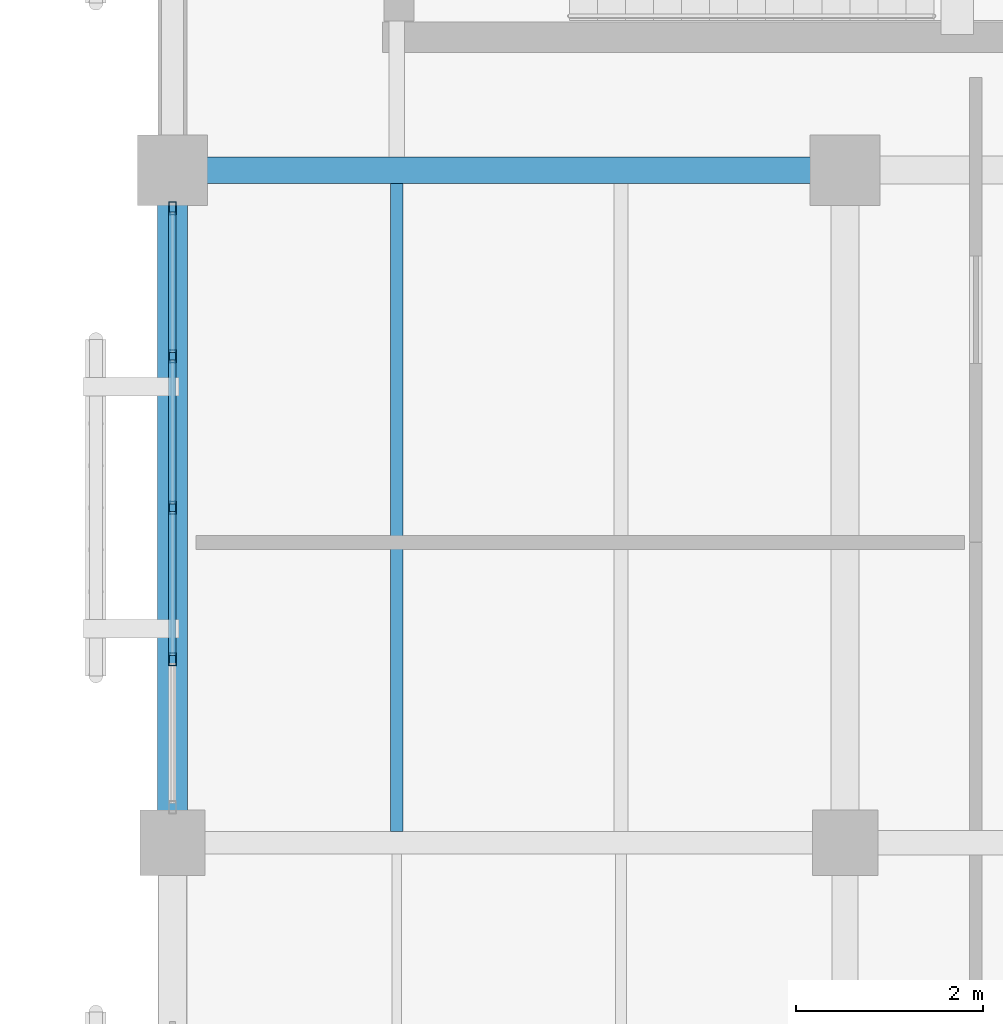
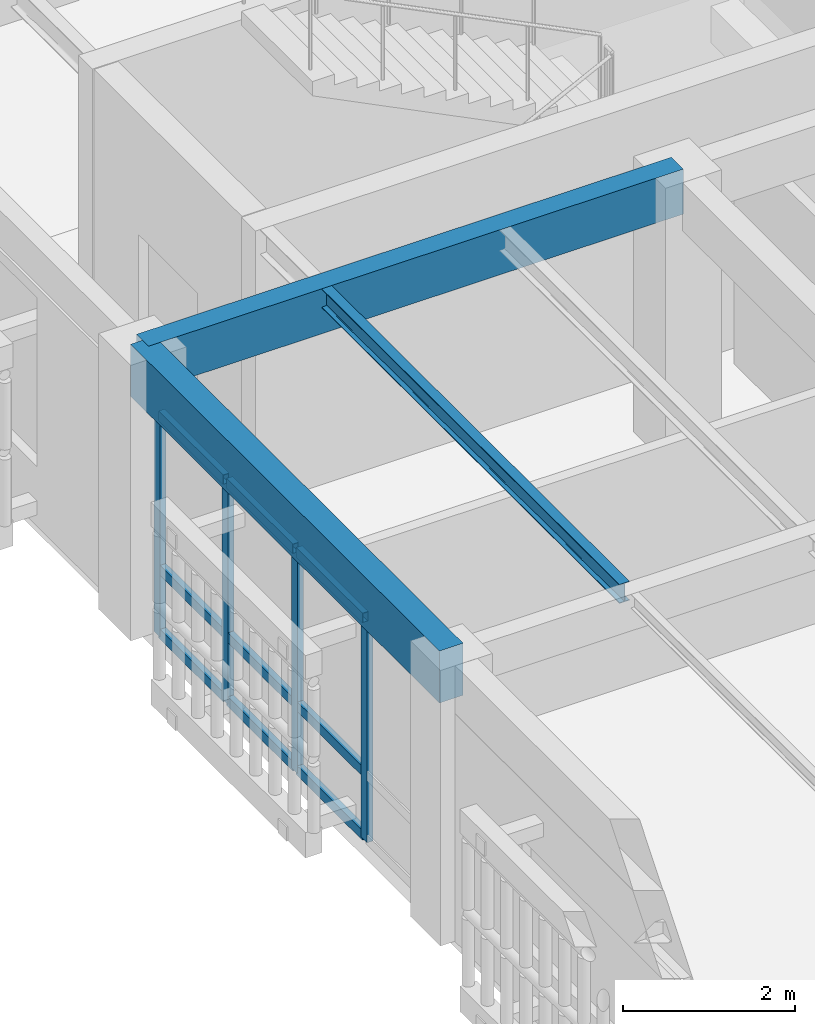
# One storey, part 77 of 170: 13 members, 3 beams, 1 element without a shape of its own.
"""IFC4 building model written with IfcOpenShell, lengths in metres."""

from ifc_helpers import new_model, si_unit, direction, frame, origin, origin_2d, place, context, subcontext, project, spatial, rectangle, hollow_rectangle, i_section, extrude, material, layer, layer_set, material_profile, profile_set, type_object, element, aggregate, save


model = new_model("IFC4")

# Units and contexts
model_context = context("Model", 3, precision=1e-05, world=origin(), true_north=direction((0.0, 1.0)))
body_context = subcontext(model_context, "Body", "Model", "MODEL_VIEW")
ifc_project = project(units=[si_unit("LENGTHUNIT", "METRE"), si_unit("AREAUNIT", "SQUARE_METRE"), si_unit("VOLUMEUNIT", "CUBIC_METRE"), si_unit("PLANEANGLEUNIT", "RADIAN"), si_unit("MASSUNIT", "GRAM", prefix="KILO")], contexts=[model_context])

# Site, building, storey
site_placement = place(None, origin())
site = spatial("IfcSite", under=ifc_project, at=site_placement, CompositionType="ELEMENT")
building_placement = place(site_placement, origin())
building = spatial("IfcBuilding", under=site, at=building_placement, Name="Mazaris Harbour Polytechnic", CompositionType="ELEMENT")
storey_placement = place(building_placement, frame((0.0, 0.0, 5.39990234375)))
storey = spatial("IfcBuildingStorey", under=building, at=storey_placement, Name="L01", CompositionType="ELEMENT", Elevation=5.39990234375)

# Curtain wall, members
ifc_material_1 = material(Name="Anodised Bronze Aluminium and Low-E Glass", Category="aluminium")
ifc_layer = layer(ifc_material_1, 0.169921875, Name="Anodised Bronze Aluminium and Low-E Glass")
ifc_layer_set = layer_set([ifc_layer], Name="Anodised Bronze Aluminium and Low-E Glass")
curtain_wall_type = type_object("IfcCurtainWallType", Name="Studio North-Light Curtain Wall", PredefinedType="NOTDEFINED", material=ifc_layer_set)
curtain_wall_placement = place(storey_placement, origin())
curtain_wall = element("IfcCurtainWall", 1, at=curtain_wall_placement, inside=storey, type_object=curtain_wall_type, Name="V5 L01 Curtain Wall 210", PredefinedType="NOTDEFINED")
ifc_material_2 = material(Name="Anodised Bronze Steel S355", Category="steel")
ifc_material_profile_1 = material_profile(ifc_material_2, hollow_rectangle(XDim=0.080078125, YDim=0.139892578125, WallThickness=0.00634765625, at=origin_2d()), Name="RHS 80x140x6.3")
ifc_profile_set_1 = profile_set([ifc_material_profile_1], Name="Anodised Bronze Steel S355")
member_type_1 = type_object("IfcMemberType", Name="Curtain Mullion RHS80x140", PredefinedType="MULLION", material=ifc_profile_set_1)
member_1_placement = place(storey_placement, frame((122.39990234375, 63.164794921875, 0.0), z_axis=(0.0, 0.0, 1.0), x_axis=(-1.0, 0.0, 0.0)))
member_1 = element("IfcMember", 2, at=member_1_placement, type_object=member_type_1, Name="CW-03 mullion 2", PredefinedType="MULLION", context=body_context, shape_type="SweptSolid", body=[
    extrude(hollow_rectangle(XDim=0.080078125, YDim=0.139892578125, WallThickness=0.00634765625, at=origin_2d()), origin(), (0.0, 0.0, 1.0), 3.170166015625),
])
member_2_placement = place(storey_placement, frame((122.39990234375, 64.78759765625, 0.0), z_axis=(0.0, 0.0, 1.0), x_axis=(-1.0, 0.0, 0.0)))
member_2 = element("IfcMember", 3, at=member_2_placement, type_object=member_type_1, Name="CW-03 mullion 3", PredefinedType="MULLION", context=body_context, shape_type="SweptSolid", body=[
    extrude(hollow_rectangle(XDim=0.080078125, YDim=0.139892578125, WallThickness=0.00634765625, at=origin_2d()), origin(), (0.0, 0.0, 1.0), 3.170166015625),
])
member_3_placement = place(storey_placement, frame((122.39990234375, 66.41015625, 0.0), z_axis=(0.0, 0.0, 1.0), x_axis=(-1.0, 0.0, 0.0)))
member_3 = element("IfcMember", 4, at=member_3_placement, type_object=member_type_1, Name="CW-03 mullion 4", PredefinedType="MULLION", context=body_context, shape_type="SweptSolid", body=[
    extrude(hollow_rectangle(XDim=0.080078125, YDim=0.139892578125, WallThickness=0.00634765625, at=origin_2d()), origin(), (0.0, 0.0, 1.0), 3.170166015625),
])
member_4_placement = place(storey_placement, frame((122.39990234375, 67.992919921875, 0.0), z_axis=(0.0, 0.0, 1.0), x_axis=(-1.0, 0.0, 0.0)))
member_4 = element("IfcMember", 5, at=member_4_placement, type_object=member_type_1, Name="CW-03 mullion 5", PredefinedType="MULLION", context=body_context, shape_type="SweptSolid", body=[
    extrude(hollow_rectangle(XDim=0.080078125, YDim=0.139892578125, WallThickness=0.00634765625, at=origin_2d()), origin(), (0.0, 0.0, 1.0), 3.170166015625),
])
ifc_material_3 = material(Name="Anodised Bronze Steel S355", Category="steel")
ifc_material_profile_2 = material_profile(ifc_material_3, hollow_rectangle(XDim=0.080078125, YDim=0.139892578125, WallThickness=0.00634765625, at=origin_2d()), Name="RHS 80x140x6.3")
ifc_profile_set_2 = profile_set([ifc_material_profile_2], Name="Anodised Bronze Steel S355")
member_type_2 = type_object("IfcMemberType", Name="Curtain Transom RHS80x140", PredefinedType="USERDEFINED", material=ifc_profile_set_2)
member_5_placement = place(storey_placement, frame((122.39990234375, 63.204833984375, 0.0400390625), z_axis=(0.0, 1.0, 0.0), x_axis=(-1.0, 0.0, 0.0)))
member_5 = element("IfcMember", 6, at=member_5_placement, type_object=member_type_2, Name="CW-03 transom 2.1", ObjectType="TRANSOM", PredefinedType="USERDEFINED", context=body_context, shape_type="SweptSolid", body=[
    extrude(hollow_rectangle(XDim=0.080078125, YDim=0.139892578125, WallThickness=0.00634765625, at=origin_2d()), origin(), (0.0, 0.0, 1.0), 1.542724609375),
])
member_6_placement = place(storey_placement, frame((122.39990234375, 63.204833984375, 0.9501953125), z_axis=(0.0, 1.0, 0.0), x_axis=(-1.0, 0.0, 0.0)))
member_6 = element("IfcMember", 7, at=member_6_placement, type_object=member_type_2, Name="CW-03 transom 2.2", ObjectType="TRANSOM", PredefinedType="USERDEFINED", context=body_context, shape_type="SweptSolid", body=[
    extrude(hollow_rectangle(XDim=0.080078125, YDim=0.139892578125, WallThickness=0.00634765625, at=origin_2d()), origin(), (0.0, 0.0, 1.0), 1.542724609375),
])
member_7_placement = place(storey_placement, frame((122.39990234375, 63.204833984375, 3.130126953125), z_axis=(0.0, 1.0, 0.0), x_axis=(-1.0, 0.0, 0.0)))
member_7 = element("IfcMember", 8, at=member_7_placement, type_object=member_type_2, Name="CW-03 transom 2.3", ObjectType="TRANSOM", PredefinedType="USERDEFINED", context=body_context, shape_type="SweptSolid", body=[
    extrude(hollow_rectangle(XDim=0.080078125, YDim=0.139892578125, WallThickness=0.00634765625, at=origin_2d()), origin(), (0.0, 0.0, 1.0), 1.542724609375),
])
member_8_placement = place(storey_placement, frame((122.39990234375, 64.827392578125, 0.0400390625), z_axis=(0.0, 1.0, 0.0), x_axis=(-1.0, 0.0, 0.0)))
member_8 = element("IfcMember", 9, at=member_8_placement, type_object=member_type_2, Name="CW-03 transom 3.1", ObjectType="TRANSOM", PredefinedType="USERDEFINED", context=body_context, shape_type="SweptSolid", body=[
    extrude(hollow_rectangle(XDim=0.080078125, YDim=0.139892578125, WallThickness=0.00634765625, at=origin_2d()), origin(), (0.0, 0.0, 1.0), 1.54296875),
])
member_9_placement = place(storey_placement, frame((122.39990234375, 64.827392578125, 0.9501953125), z_axis=(0.0, 1.0, 0.0), x_axis=(-1.0, 0.0, 0.0)))
member_9 = element("IfcMember", 10, at=member_9_placement, type_object=member_type_2, Name="CW-03 transom 3.2", ObjectType="TRANSOM", PredefinedType="USERDEFINED", context=body_context, shape_type="SweptSolid", body=[
    extrude(hollow_rectangle(XDim=0.080078125, YDim=0.139892578125, WallThickness=0.00634765625, at=origin_2d()), origin(), (0.0, 0.0, 1.0), 1.54296875),
])
member_10_placement = place(storey_placement, frame((122.39990234375, 64.827392578125, 3.130126953125), z_axis=(0.0, 1.0, 0.0), x_axis=(-1.0, 0.0, 0.0)))
member_10 = element("IfcMember", 11, at=member_10_placement, type_object=member_type_2, Name="CW-03 transom 3.3", ObjectType="TRANSOM", PredefinedType="USERDEFINED", context=body_context, shape_type="SweptSolid", body=[
    extrude(hollow_rectangle(XDim=0.080078125, YDim=0.139892578125, WallThickness=0.00634765625, at=origin_2d()), origin(), (0.0, 0.0, 1.0), 1.54296875),
])
member_11_placement = place(storey_placement, frame((122.39990234375, 66.4501953125, 0.0400390625), z_axis=(0.0, 1.0, 0.0), x_axis=(-1.0, 0.0, 0.0)))
member_11 = element("IfcMember", 12, at=member_11_placement, type_object=member_type_2, Name="CW-03 transom 4.1", ObjectType="TRANSOM", PredefinedType="USERDEFINED", context=body_context, shape_type="SweptSolid", body=[
    extrude(hollow_rectangle(XDim=0.080078125, YDim=0.139892578125, WallThickness=0.00634765625, at=origin_2d()), origin(), (0.0, 0.0, 1.0), 1.502685546875),
])
member_12_placement = place(storey_placement, frame((122.39990234375, 66.4501953125, 0.9501953125), z_axis=(0.0, 1.0, 0.0), x_axis=(-1.0, 0.0, 0.0)))
member_12 = element("IfcMember", 13, at=member_12_placement, type_object=member_type_2, Name="CW-03 transom 4.2", ObjectType="TRANSOM", PredefinedType="USERDEFINED", context=body_context, shape_type="SweptSolid", body=[
    extrude(hollow_rectangle(XDim=0.080078125, YDim=0.139892578125, WallThickness=0.00634765625, at=origin_2d()), origin(), (0.0, 0.0, 1.0), 1.502685546875),
])
member_13_placement = place(storey_placement, frame((122.39990234375, 66.4501953125, 3.130126953125), z_axis=(0.0, 1.0, 0.0), x_axis=(-1.0, 0.0, 0.0)))
member_13 = element("IfcMember", 14, at=member_13_placement, type_object=member_type_2, Name="CW-03 transom 4.3", ObjectType="TRANSOM", PredefinedType="USERDEFINED", context=body_context, shape_type="SweptSolid", body=[
    extrude(hollow_rectangle(XDim=0.080078125, YDim=0.139892578125, WallThickness=0.00634765625, at=origin_2d()), origin(), (0.0, 0.0, 1.0), 1.502685546875),
])
aggregate(curtain_wall, [member_1, member_2, member_3, member_4, member_5, member_6, member_7, member_8, member_9, member_10, member_11, member_12, member_13])

# Beams
ifc_material_4 = material(Name="Glulam GL32h", Category="wood")
ifc_material_profile_3 = material_profile(ifc_material_4, rectangle(XDim=0.280029296875, YDim=0.639892578125, at=origin_2d()), Name="RECT280x640")
ifc_profile_set_3 = profile_set([ifc_material_profile_3], Name="Glulam GL32h")
beam_type_1 = type_object("IfcBeamType", Name="Glulam Girder 280x640", PredefinedType="BEAM", material=ifc_profile_set_3)
beam_1_placement = place(storey_placement, frame((122.39990234375, 68.39990234375, 3.60009765625), z_axis=(1.0, 0.0, 0.0), x_axis=(0.0, 1.0, 0.0)))
element("IfcBeam", 15, at=beam_1_placement, inside=storey, type_object=beam_type_1, Name="V5 L01 Girder 2927", PredefinedType="BEAM", context=body_context, shape_type="SweptSolid", body=[
    extrude(rectangle(XDim=0.280029296875, YDim=0.639892578125, at=origin_2d()), origin(), (0.0, 0.0, 1.0), 7.2001953125),
])
ifc_material_5 = material(Name="Glulam GL32h", Category="wood")
ifc_material_profile_4 = material_profile(ifc_material_5, rectangle(XDim=0.320068359375, YDim=0.739990234375, at=origin_2d()), Name="RECT320x740")
ifc_profile_set_4 = profile_set([ifc_material_profile_4], Name="Glulam GL32h")
beam_type_2 = type_object("IfcBeamType", Name="Glulam Girder 320x740 Exterior", PredefinedType="BEAM", material=ifc_profile_set_4)
beam_2_placement = place(storey_placement, frame((122.39990234375, 61.199951171875, 3.550048828125), z_axis=(0.0, 1.0, 0.0), x_axis=(-1.0, 0.0, 0.0)))
element("IfcBeam", 16, at=beam_2_placement, inside=storey, type_object=beam_type_2, Name="V5 L01 Tie Girder 2969", PredefinedType="BEAM", context=body_context, shape_type="SweptSolid", body=[
    extrude(rectangle(XDim=0.320068359375, YDim=0.739990234375, at=origin_2d()), origin(), (0.0, 0.0, 1.0), 7.199951171875),
])
ifc_material_6 = material(Name="Steel S355", Category="steel")
ifc_material_profile_5 = material_profile(ifc_material_6, i_section(OverallWidth=0.135009765625, OverallDepth=0.27001953125, WebThickness=0.006591796875, FlangeThickness=0.01025390625, FilletRadius=0.014892578125, at=origin_2d()), Name="IPE 270")
ifc_profile_set_5 = profile_set([ifc_material_profile_5], Name="Steel S355")
beam_type_3 = type_object("IfcBeamType", Name="Steel Joist IPE270", PredefinedType="JOIST", material=ifc_profile_set_5)
beam_3_placement = place(storey_placement, frame((124.800048828125, 61.320068359375, 3.78515625), z_axis=(0.0, 1.0, 0.0), x_axis=(-1.0, 0.0, 0.0)))
element("IfcBeam", 17, at=beam_3_placement, inside=storey, type_object=beam_type_3, Name="V5 L01 Floor Joist 3033", PredefinedType="JOIST", context=body_context, shape_type="SweptSolid", body=[
    extrude(i_section(OverallWidth=0.135009765625, OverallDepth=0.27001953125, WebThickness=0.006591796875, FlangeThickness=0.01025390625, FilletRadius=0.014892578125, at=origin_2d()), origin(), (0.0, 0.0, 1.0), 6.93994140625),
])

save(model, "model.ifc")
